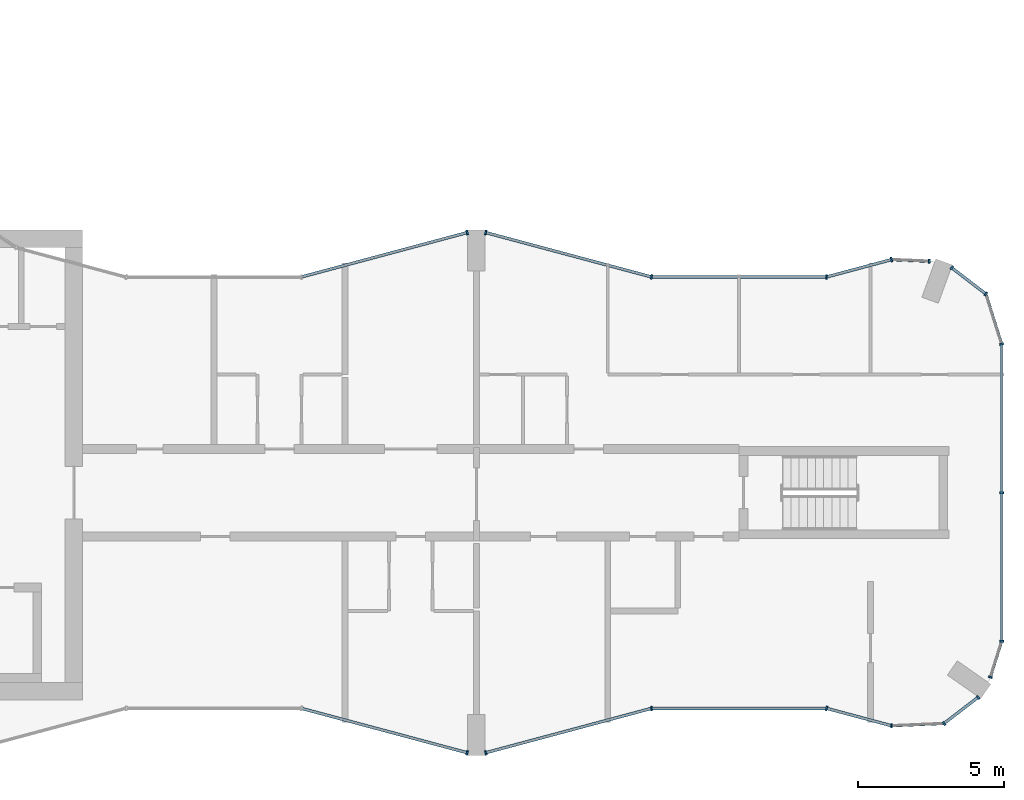
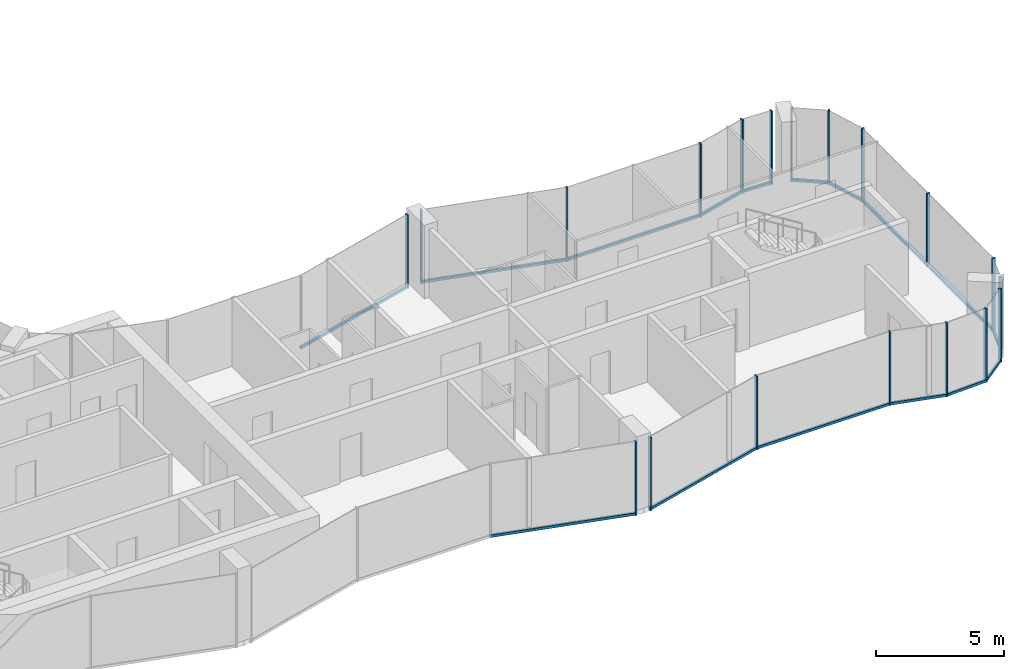
# One storey, part 6 of 15: 34 members, 15 elements without a shape of their own.
"""IFC4 building model written with IfcOpenShell, lengths in metres."""

import ifcopenshell
import ifcopenshell.guid

model = None  # the IFC model being written
_history = None  # IfcOwnerHistory: only IFC2X3 demands one
_inside = {}  # id of a spatial element -> (the spatial element, [elements in it])
_under = {}  # id of a project, library or spatial element -> (it, [spatial elements below it])
_declared = {}  # id of a project -> (the project, [libraries it declares])
_typed = {}  # id of a type object -> (the type object, [elements of that type])
_made_of = {}  # id of a material, layer set ... -> (it, [elements and type objects made of it])


def new_model(schema):
    """Start an empty IFC model of exactly this schema.

    Asked for "IFC4X3", IfcOpenShell would pick the latest addendum, in which some entities
    have other attributes; the version numbers below select the first issue.
    IFC2X3 requires an IfcOwnerHistory on every rooted entity: one is made here for all.
    """
    global model, _history
    if schema == "IFC4X3":
        model = ifcopenshell.file(schema_version=(4, 3, 0, 0))
    else:
        model = ifcopenshell.file(schema=schema)
    _inside.clear()
    _under.clear()
    _declared.clear()
    _typed.clear()
    _made_of.clear()
    _history = None
    if model.schema == "IFC2X3":
        org = make("IfcOrganization", Name="unknown")
        user = make(
            "IfcPersonAndOrganization",
            ThePerson=make("IfcPerson", FamilyName="unknown"),
            TheOrganization=org,
        )
        app = make(
            "IfcApplication",
            ApplicationDeveloper=org,
            Version="unknown",
            ApplicationFullName="unknown",
            ApplicationIdentifier="unknown",
        )
        _history = make(
            "IfcOwnerHistory",
            OwningUser=user,
            OwningApplication=app,
            ChangeAction="ADDED",
            CreationDate=0,
        )
    return model


def make(cls, **values):
    """One entity of the class cls with the attributes given. An attribute that is None is left unset."""
    return model.create_entity(
        cls, **{name: value for name, value in values.items() if value is not None}
    )


def rooted(cls, **values):
    """An entity with a GlobalId (a new one), such as an element, a storey or a relation."""
    return make(cls, GlobalId=ifcopenshell.guid.new(), OwnerHistory=_history, **values)


def si_unit(unit_type, name, prefix=None):
    """IfcSIUnit, for example si_unit("LENGTHUNIT", "METRE", prefix="MILLI")."""
    return make("IfcSIUnit", UnitType=unit_type, Prefix=prefix, Name=name)


def assignment(units):
    """IfcUnitAssignment: the units of a project."""
    return None if units is None else make("IfcUnitAssignment", Units=units)


def point(xyz):
    """IfcCartesianPoint."""
    return None if xyz is None else make("IfcCartesianPoint", Coordinates=xyz)


def direction(xyz):
    """IfcDirection."""
    return None if xyz is None else make("IfcDirection", DirectionRatios=xyz)


def frame(location, z_axis=None, x_axis=None):
    """IfcAxis2Placement3D, a coordinate frame: its origin and axes. An axis left out is left unset."""
    return make(
        "IfcAxis2Placement3D",
        Location=point(location),
        Axis=direction(z_axis),
        RefDirection=direction(x_axis),
    )


def frame_2d(location, x_axis=None):
    """IfcAxis2Placement2D, a coordinate frame in the plane: its origin and x axis."""
    return make(
        "IfcAxis2Placement2D", Location=point(location), RefDirection=direction(x_axis)
    )


def origin():
    """The frame at (0, 0, 0) with its axes left unset."""
    return frame((0.0, 0.0, 0.0))


def origin_2d():
    """The frame at (0, 0) in the plane with its x axis left unset."""
    return frame_2d((0.0, 0.0))


def place(relative_to, where):
    """IfcLocalPlacement: puts the frame where relative to a parent placement (None: the world)."""
    return make(
        "IfcLocalPlacement", PlacementRelTo=relative_to, RelativePlacement=where
    )


def context(
    kind, dimensions, precision=None, world=None, true_north=None, identifier=None
):
    """IfcGeometricRepresentationContext, for example the 3D "Model" context."""
    return make(
        "IfcGeometricRepresentationContext",
        ContextIdentifier=identifier,
        ContextType=kind,
        CoordinateSpaceDimension=dimensions,
        Precision=precision,
        WorldCoordinateSystem=world,
        TrueNorth=true_north,
    )


def subcontext(parent, identifier, kind, view, scale=None):
    """IfcGeometricRepresentationSubContext, for example "Body" below "Model"."""
    return make(
        "IfcGeometricRepresentationSubContext",
        ContextIdentifier=identifier,
        ContextType=kind,
        ParentContext=parent,
        TargetScale=scale,
        TargetView=view,
    )


def project(units=None, contexts=None):
    """IfcProject with its units and contexts."""
    return rooted(
        "IfcProject",
        Name="project",
        RepresentationContexts=contexts,
        UnitsInContext=assignment(units),
    )


def spatial(cls, under=None, at=None, **own):
    """A site, building, storey or space (cls), placed at a placement, below another one or the project."""
    s = rooted(cls, ObjectPlacement=at, **own)
    if under is not None:
        _under.setdefault(under.id(), (under, []))[1].append(s)
    return s


def profile(cls, at=None, kind="AREA", **sizes):
    """A parametric profile (cls). Its sizes go by their IFC names, for example OverallWidth=200.0."""
    return make(cls, ProfileType=kind, Position=at, **sizes)


def rectangle(**sizes):
    """IfcRectangleProfileDef."""
    return profile("IfcRectangleProfileDef", **sizes)


def extrude(swept, where, along, depth):
    """IfcExtrudedAreaSolid: the profile swept, set in the frame where, extruded along a direction by depth."""
    return make(
        "IfcExtrudedAreaSolid",
        SweptArea=swept,
        Position=where,
        ExtrudedDirection=direction(along),
        Depth=depth,
    )


def shape(context_of_items, identifier, shape_type, items):
    """IfcShapeRepresentation: the items that make up one representation, for example the "Body"."""
    return make(
        "IfcShapeRepresentation",
        ContextOfItems=context_of_items,
        RepresentationIdentifier=identifier,
        RepresentationType=shape_type,
        Items=items,
    )


def material(Name=None, Category=None):
    """IfcMaterial."""
    return make("IfcMaterial", Name=Name, Category=Category)


def layer(
    of_material, thickness, ventilated=None, Name=None, Category=None, Priority=None
):
    """IfcMaterialLayer: one layer of a wall or slab, of a material (None: an air gap)."""
    return make(
        "IfcMaterialLayer",
        Material=of_material,
        LayerThickness=thickness,
        IsVentilated=ventilated,
        Name=Name,
        Category=Category,
        Priority=Priority,
    )


def layer_set(layers, Name=None):
    """IfcMaterialLayerSet."""
    return make("IfcMaterialLayerSet", MaterialLayers=layers, LayerSetName=Name)


def material_profile(
    of_material, cross_section, Name=None, Category=None, Priority=None
):
    """IfcMaterialProfile: a cross section and its material."""
    return make(
        "IfcMaterialProfile",
        Name=Name,
        Material=of_material,
        Profile=cross_section,
        Priority=Priority,
        Category=Category,
    )


def profile_set(profiles, Name=None, composite=None):
    """IfcMaterialProfileSet."""
    return make(
        "IfcMaterialProfileSet",
        Name=Name,
        MaterialProfiles=profiles,
        CompositeProfile=composite,
    )


def made_of(thing, what):
    """Note that an element or type object is made of a material, layer set ...; save() writes the relation."""
    if what is not None:
        _made_of.setdefault(what.id(), (what, []))[1].append(thing)
    return thing


def type_object(cls, material=None, **own):
    """A type object (cls), such as IfcWallType, which elements share."""
    return made_of(rooted(cls, **own), material)


def element(
    cls,
    number,
    at=None,
    inside=None,
    cuts=None,
    type_object=None,
    material=None,
    context=None,
    identifier="Body",
    shape_type=None,
    held_by="IfcProductDefinitionShape",
    body=None,
    shapes=None,
    **own,
):
    """One element of the class cls, such as IfcWall. Its Tag is "e" and its number.

    at: its placement. inside: the storey or other place that contains it. cuts: it is an
    opening in that element (IfcRelVoidsElement). A single representation is given by context,
    identifier, shape_type and body (its items); several are given by shapes. held_by: the class
    of the entity that holds the representations. save() writes the other relations.
    """
    e = rooted(cls, Tag="e%d" % number, ObjectPlacement=at, **own)
    if body is not None:
        shapes = [shape(context, identifier, shape_type, body)]
    if shapes is not None:
        e.Representation = make(held_by, Representations=shapes)
    if inside is not None:
        _inside.setdefault(inside.id(), (inside, []))[1].append(e)
    if cuts is not None:
        rooted(
            "IfcRelVoidsElement", RelatingBuildingElement=cuts, RelatedOpeningElement=e
        )
    if type_object is not None:
        _typed.setdefault(type_object.id(), (type_object, []))[1].append(e)
    return made_of(e, material)


def aggregate(whole, parts):
    """IfcRelAggregates: a whole, such as a stair, and the parts it consists of."""
    return rooted("IfcRelAggregates", RelatingObject=whole, RelatedObjects=parts)


def save(model, path):
    """Write the relations noted so far, then the file.

    IfcRelAggregates (storeys below a building ...), IfcRelContainedInSpatialStructure (elements
    in a storey), IfcRelDefinesByType, IfcRelAssociatesMaterial and IfcRelDeclares: one each for
    every whole, place, type object, material and project.
    """
    for whole, parts in _under.values():
        aggregate(whole, parts)
    for where, things in _inside.values():
        rooted(
            "IfcRelContainedInSpatialStructure",
            RelatedElements=things,
            RelatingStructure=where,
        )
    for kind, things in _typed.values():
        rooted("IfcRelDefinesByType", RelatedObjects=things, RelatingType=kind)
    for what, things in _made_of.values():
        rooted("IfcRelAssociatesMaterial", RelatedObjects=things, RelatingMaterial=what)
    for by, libraries in _declared.values():
        rooted("IfcRelDeclares", RelatingContext=by, RelatedDefinitions=libraries)
    model.write(path)


model = new_model("IFC4")

# Units and contexts
model_context = context("Model", 3, precision=1e-05, world=origin(), true_north=direction((0.0, 1.0)))
body_context = subcontext(model_context, "Body", "Model", "MODEL_VIEW")
ifc_project = project(units=[si_unit("LENGTHUNIT", "METRE"), si_unit("AREAUNIT", "SQUARE_METRE"), si_unit("VOLUMEUNIT", "CUBIC_METRE"), si_unit("PLANEANGLEUNIT", "RADIAN"), si_unit("MASSUNIT", "GRAM", prefix="KILO")], contexts=[model_context])

# Site, building, storey
site_placement = place(None, origin())
site = spatial("IfcSite", under=ifc_project, at=site_placement, CompositionType="ELEMENT")
building_placement = place(site_placement, origin())
building = spatial("IfcBuilding", under=site, at=building_placement, Name="Plateau Cross Towers", CompositionType="ELEMENT")
storey_placement = place(building_placement, frame((0.0, 0.0, 174.39990234375)))
storey = spatial("IfcBuildingStorey", under=building, at=storey_placement, Name="L45", CompositionType="ELEMENT", Elevation=174.39990234375)

# Curtain wall, member
ifc_material_1 = material(Name="Dark low-iron glass", Category="glass")
ifc_layer_1 = layer(ifc_material_1, 0.239990234375)
ifc_layer_set_1 = layer_set([ifc_layer_1], Name="Dark low-iron glass")
curtain_wall_type_1 = type_object("IfcCurtainWallType", Name="Curtain wall flush unitised CW-B", PredefinedType="NOTDEFINED", material=ifc_layer_set_1)
curtain_wall_1_placement = place(storey_placement, origin())
curtain_wall_1 = element("IfcCurtainWall", 1, at=curtain_wall_1_placement, inside=storey, type_object=curtain_wall_type_1, Name="ENV/A/L45/A502_10", PredefinedType="NOTDEFINED")
ifc_material_2 = material(Name="Black anodised aluminium", Category="aluminium")
ifc_material_profile_1 = material_profile(ifc_material_2, rectangle(XDim=0.06005859375, YDim=0.139892578125, at=origin_2d()), Name="MULLION 60x140")
ifc_profile_set_1 = profile_set([ifc_material_profile_1], Name="Black anodised aluminium")
member_type_1 = type_object("IfcMemberType", Name="Mullion 60x140 flush unitised", PredefinedType="MULLION", material=ifc_profile_set_1)
member_1_placement = place(storey_placement, frame((50.223876953125, 1.01123046875, -0.25), z_axis=(0.0, 0.0, 1.0), x_axis=(0.999043701491, 0.043722791671, 0.0)))
member_1 = element("IfcMember", 2, at=member_1_placement, type_object=member_type_1, Name="CW-B mullion 1", PredefinedType="MULLION", context=body_context, shape_type="SweptSolid", body=[
    extrude(rectangle(XDim=0.06005859375, YDim=0.139892578125, at=origin_2d()), origin(), (0.0, 0.0, 1.0), 3.5),
])

# Curtain wall, members
curtain_wall_2_placement = place(storey_placement, origin())
curtain_wall_2 = element("IfcCurtainWall", 3, at=curtain_wall_2_placement, inside=storey, type_object=curtain_wall_type_1, Name="ENV/A/L45/A520_11", PredefinedType="NOTDEFINED")
member_2_placement = place(storey_placement, frame((52.0263671875, 1.090087890625, -0.25), z_axis=(0.0, 0.0, 1.0), x_axis=(0.793315514529, 0.608810721331, 0.0)))
member_2 = element("IfcMember", 4, at=member_2_placement, type_object=member_type_1, Name="CW-B mullion 1", PredefinedType="MULLION", context=body_context, shape_type="SweptSolid", body=[
    extrude(rectangle(XDim=0.06005859375, YDim=0.139892578125, at=origin_2d()), origin(), (0.0, 0.0, 1.0), 3.5),
])
member_3_placement = place(storey_placement, frame((53.193603515625, 1.986083984375, -0.25), z_axis=(0.0, 0.0, 1.0), x_axis=(0.793315514529, 0.608810721331, 0.0)))
member_3 = element("IfcMember", 5, at=member_3_placement, type_object=member_type_1, Name="CW-B mullion 2", PredefinedType="MULLION", context=body_context, shape_type="SweptSolid", body=[
    extrude(rectangle(XDim=0.06005859375, YDim=0.139892578125, at=origin_2d()), origin(), (0.0, 0.0, 1.0), 3.5),
])

# Curtain wall, member
curtain_wall_3_placement = place(storey_placement, origin())
curtain_wall_3 = element("IfcCurtainWall", 6, at=curtain_wall_3_placement, inside=storey, type_object=curtain_wall_type_1, Name="ENV/A/L45/A536_27", PredefinedType="NOTDEFINED")
member_4_placement = place(storey_placement, frame((53.611083984375, 2.67529296875, -0.25), z_axis=(0.0, 0.0, 1.0), x_axis=(0.300686174994, 0.95372313811, 0.0)))
member_4 = element("IfcMember", 7, at=member_4_placement, type_object=member_type_1, Name="CW-B mullion 1", PredefinedType="MULLION", context=body_context, shape_type="SweptSolid", body=[
    extrude(rectangle(XDim=0.06005859375, YDim=0.139892578125, at=origin_2d()), origin(), (0.0, 0.0, 1.0), 3.5),
])

# Curtain wall, members
curtain_wall_4_placement = place(storey_placement, origin())
curtain_wall_4 = element("IfcCurtainWall", 8, at=curtain_wall_4_placement, inside=storey, type_object=curtain_wall_type_1, Name="ENV/A/L45/A540_39", PredefinedType="NOTDEFINED")
member_5_placement = place(storey_placement, frame((54.0, 3.9091796875, -0.25), z_axis=(0.0, 0.0, 1.0), x_axis=(0.0, 1.0, 0.0)))
member_5 = element("IfcMember", 9, at=member_5_placement, type_object=member_type_1, Name="CW-B mullion 1", PredefinedType="MULLION", context=body_context, shape_type="SweptSolid", body=[
    extrude(rectangle(XDim=0.06005859375, YDim=0.139892578125, at=origin_2d()), origin(), (0.0, 0.0, 1.0), 3.5),
])
member_6_placement = place(storey_placement, frame((54.0, 9.0, -0.25), z_axis=(0.0, 0.0, 1.0), x_axis=(0.0, 1.0, 0.0)))
member_6 = element("IfcMember", 10, at=member_6_placement, type_object=member_type_1, Name="CW-B mullion 2", PredefinedType="MULLION", context=body_context, shape_type="SweptSolid", body=[
    extrude(rectangle(XDim=0.06005859375, YDim=0.139892578125, at=origin_2d()), origin(), (0.0, 0.0, 1.0), 3.5),
])

# Curtain wall, member
curtain_wall_5_placement = place(storey_placement, origin())
curtain_wall_5 = element("IfcCurtainWall", 11, at=curtain_wall_5_placement, inside=storey, type_object=curtain_wall_type_1, Name="ENV/A/L45/A540_141", PredefinedType="NOTDEFINED")
member_7_placement = place(storey_placement, frame((54.0, 14.0908203125, -0.25), z_axis=(0.0, 0.0, 1.0), x_axis=(-0.300686174994, 0.95372313811, 0.0)))
member_7 = element("IfcMember", 12, at=member_7_placement, type_object=member_type_1, Name="CW-B mullion 1", PredefinedType="MULLION", context=body_context, shape_type="SweptSolid", body=[
    extrude(rectangle(XDim=0.06005859375, YDim=0.139892578125, at=origin_2d()), origin(), (0.0, 0.0, 1.0), 3.5),
])

# Curtain wall, members
curtain_wall_6_placement = place(storey_placement, origin())
curtain_wall_6 = element("IfcCurtainWall", 13, at=curtain_wall_6_placement, inside=storey, type_object=curtain_wall_type_1, Name="ENV/A/L45/A535_158", PredefinedType="NOTDEFINED")
member_8_placement = place(storey_placement, frame((53.45751953125, 15.8115234375, -0.25), z_axis=(0.0, 0.0, 1.0), x_axis=(-0.793315514529, 0.608810721331, 0.0)))
member_8 = element("IfcMember", 14, at=member_8_placement, type_object=member_type_1, Name="CW-B mullion 1", PredefinedType="MULLION", context=body_context, shape_type="SweptSolid", body=[
    extrude(rectangle(XDim=0.06005859375, YDim=0.139892578125, at=origin_2d()), origin(), (0.0, 0.0, 1.0), 3.5),
])
member_9_placement = place(storey_placement, frame((52.290283203125, 16.707275390625, -0.25), z_axis=(0.0, 0.0, 1.0), x_axis=(-0.793315514529, 0.608810721331, 0.0)))
member_9 = element("IfcMember", 15, at=member_9_placement, type_object=member_type_1, Name="CW-B mullion 2", PredefinedType="MULLION", context=body_context, shape_type="SweptSolid", body=[
    extrude(rectangle(XDim=0.06005859375, YDim=0.139892578125, at=origin_2d()), origin(), (0.0, 0.0, 1.0), 3.5),
])

# Curtain wall, member
curtain_wall_7_placement = place(storey_placement, origin())
curtain_wall_7 = element("IfcCurtainWall", 16, at=curtain_wall_7_placement, inside=storey, type_object=curtain_wall_type_1, Name="ENV/A/L45/A515_169", PredefinedType="NOTDEFINED")
member_10_placement = place(storey_placement, frame((51.516357421875, 16.93212890625, -0.25), z_axis=(0.0, 0.0, 1.0), x_axis=(-0.999043701491, 0.043722791671, 0.0)))
member_10 = element("IfcMember", 17, at=member_10_placement, type_object=member_type_1, Name="CW-B mullion 1", PredefinedType="MULLION", context=body_context, shape_type="SweptSolid", body=[
    extrude(rectangle(XDim=0.06005859375, YDim=0.139892578125, at=origin_2d()), origin(), (0.0, 0.0, 1.0), 3.5),
])

ifc_layer_2 = layer(ifc_material_1, 0.260009765625)
ifc_layer_set_2 = layer_set([ifc_layer_2], Name="Dark low-iron glass")
curtain_wall_type_2 = type_object("IfcCurtainWallType", Name="Curtain wall fluted unitised CW-A", PredefinedType="NOTDEFINED", material=ifc_layer_set_2)
curtain_wall_8_placement = place(storey_placement, origin())
curtain_wall_8 = element("IfcCurtainWall", 18, at=curtain_wall_8_placement, inside=storey, type_object=curtain_wall_type_2, Name="ENV/A/L45/A300_16", PredefinedType="NOTDEFINED")
ifc_material_profile_2 = material_profile(ifc_material_2, rectangle(XDim=0.06005859375, YDim=0.159912109375, at=origin_2d()), Name="MULLION 60x160")
ifc_profile_set_2 = profile_set([ifc_material_profile_2], Name="Black anodised aluminium")
member_type_2 = type_object("IfcMemberType", Name="Mullion 60x160 fluted unitised", PredefinedType="MULLION", material=ifc_profile_set_2)
member_11_placement = place(storey_placement, frame((35.68212890625, 0.085205078125, -0.25), z_axis=(0.0, 0.0, 1.0), x_axis=(0.965957983404, -0.258699003279, 0.0)))
member_11 = element("IfcMember", 19, at=member_11_placement, type_object=member_type_2, Name="CW-A mullion 2", PredefinedType="MULLION", context=body_context, shape_type="SweptSolid", body=[
    extrude(rectangle(XDim=0.06005859375, YDim=0.159912109375, at=origin_2d()), origin(), (0.0, 0.0, 1.0), 3.5),
])

curtain_wall_9_placement = place(storey_placement, origin())
curtain_wall_9 = element("IfcCurtainWall", 20, at=curtain_wall_9_placement, inside=storey, type_object=curtain_wall_type_2, Name="ENV/A/L45/A363_1", PredefinedType="NOTDEFINED")
member_12_placement = place(storey_placement, frame((36.31787109375, 0.085205078125, -0.25), z_axis=(0.0, 0.0, 1.0), x_axis=(0.965957983404, 0.258699003279, 0.0)))
member_12 = element("IfcMember", 21, at=member_12_placement, type_object=member_type_2, Name="CW-A mullion 1", PredefinedType="MULLION", context=body_context, shape_type="SweptSolid", body=[
    extrude(rectangle(XDim=0.06005859375, YDim=0.159912109375, at=origin_2d()), origin(), (0.0, 0.0, 1.0), 3.5),
])

curtain_wall_10_placement = place(storey_placement, origin())
curtain_wall_10 = element("IfcCurtainWall", 22, at=curtain_wall_10_placement, inside=storey, type_object=curtain_wall_type_2, Name="ENV/A/L45/A420_16", PredefinedType="NOTDEFINED")
member_13_placement = place(storey_placement, frame((42.0, 1.60693359375, -0.25), z_axis=(0.0, 0.0, 1.0), x_axis=(1.0, 0.0, 0.0)))
member_13 = element("IfcMember", 23, at=member_13_placement, type_object=member_type_2, Name="CW-A mullion 1", PredefinedType="MULLION", context=body_context, shape_type="SweptSolid", body=[
    extrude(rectangle(XDim=0.06005859375, YDim=0.159912109375, at=origin_2d()), origin(), (0.0, 0.0, 1.0), 3.5),
])

curtain_wall_11_placement = place(storey_placement, origin())
curtain_wall_11 = element("IfcCurtainWall", 24, at=curtain_wall_11_placement, inside=storey, type_object=curtain_wall_type_2, Name="ENV/A/L45/A480_16", PredefinedType="NOTDEFINED")
member_14_placement = place(storey_placement, frame((48.0, 1.60693359375, -0.25), z_axis=(0.0, 0.0, 1.0), x_axis=(0.965957962328, -0.258699081978, 0.0)))
member_14 = element("IfcMember", 25, at=member_14_placement, type_object=member_type_2, Name="CW-A mullion 1", PredefinedType="MULLION", context=body_context, shape_type="SweptSolid", body=[
    extrude(rectangle(XDim=0.06005859375, YDim=0.159912109375, at=origin_2d()), origin(), (0.0, 0.0, 1.0), 3.5),
])

curtain_wall_12_placement = place(storey_placement, origin())
curtain_wall_12 = element("IfcCurtainWall", 26, at=curtain_wall_12_placement, inside=storey, type_object=curtain_wall_type_2, Name="ENV/A/L45/A502_170", PredefinedType="NOTDEFINED")
member_15_placement = place(storey_placement, frame((50.223876953125, 16.98876953125, -0.25), z_axis=(0.0, 0.0, 1.0), x_axis=(-0.965957962328, -0.258699081978, 0.0)))
member_15 = element("IfcMember", 27, at=member_15_placement, type_object=member_type_2, Name="CW-A mullion 1", PredefinedType="MULLION", context=body_context, shape_type="SweptSolid", body=[
    extrude(rectangle(XDim=0.06005859375, YDim=0.159912109375, at=origin_2d()), origin(), (0.0, 0.0, 1.0), 3.5),
])

curtain_wall_13_placement = place(storey_placement, origin())
curtain_wall_13 = element("IfcCurtainWall", 28, at=curtain_wall_13_placement, inside=storey, type_object=curtain_wall_type_2, Name="ENV/A/L45/A480_164", PredefinedType="NOTDEFINED")
member_16_placement = place(storey_placement, frame((48.0, 16.39306640625, -0.25), z_axis=(0.0, 0.0, 1.0), x_axis=(-1.0, 0.0, 0.0)))
member_16 = element("IfcMember", 29, at=member_16_placement, type_object=member_type_2, Name="CW-A mullion 1", PredefinedType="MULLION", context=body_context, shape_type="SweptSolid", body=[
    extrude(rectangle(XDim=0.06005859375, YDim=0.159912109375, at=origin_2d()), origin(), (0.0, 0.0, 1.0), 3.5),
])

# Curtain wall, members
curtain_wall_14_placement = place(storey_placement, origin())
curtain_wall_14 = element("IfcCurtainWall", 30, at=curtain_wall_14_placement, inside=storey, type_object=curtain_wall_type_2, Name="ENV/A/L45/A420_164", PredefinedType="NOTDEFINED")
member_17_placement = place(storey_placement, frame((42.0, 16.39306640625, -0.25), z_axis=(0.0, 0.0, 1.0), x_axis=(-0.965957983404, 0.258699003279, 0.0)))
member_17 = element("IfcMember", 31, at=member_17_placement, type_object=member_type_2, Name="CW-A mullion 1", PredefinedType="MULLION", context=body_context, shape_type="SweptSolid", body=[
    extrude(rectangle(XDim=0.06005859375, YDim=0.159912109375, at=origin_2d()), origin(), (0.0, 0.0, 1.0), 3.5),
])
member_18_placement = place(storey_placement, frame((36.31787109375, 17.914794921875, -0.25), z_axis=(0.0, 0.0, 1.0), x_axis=(-0.965957983404, 0.258699003279, 0.0)))
member_18 = element("IfcMember", 32, at=member_18_placement, type_object=member_type_2, Name="CW-A mullion 2", PredefinedType="MULLION", context=body_context, shape_type="SweptSolid", body=[
    extrude(rectangle(XDim=0.06005859375, YDim=0.159912109375, at=origin_2d()), origin(), (0.0, 0.0, 1.0), 3.5),
])

# Curtain wall, member
curtain_wall_15_placement = place(storey_placement, origin())
curtain_wall_15 = element("IfcCurtainWall", 33, at=curtain_wall_15_placement, inside=storey, type_object=curtain_wall_type_2, Name="ENV/A/L45/A357_179", PredefinedType="NOTDEFINED")
member_19_placement = place(storey_placement, frame((35.68212890625, 17.914794921875, -0.25), z_axis=(0.0, 0.0, 1.0), x_axis=(-0.965957983404, -0.258699003279, 0.0)))
member_19 = element("IfcMember", 34, at=member_19_placement, type_object=member_type_2, Name="CW-A mullion 1", PredefinedType="MULLION", context=body_context, shape_type="SweptSolid", body=[
    extrude(rectangle(XDim=0.06005859375, YDim=0.159912109375, at=origin_2d()), origin(), (0.0, 0.0, 1.0), 3.5),
])

# Member
ifc_material_profile_3 = material_profile(ifc_material_2, rectangle(XDim=0.10009765625, YDim=0.1201171875, at=origin_2d()), Name="TRANSOM 100x120")
ifc_profile_set_3 = profile_set([ifc_material_profile_3], Name="Black anodised aluminium")
member_type_3 = type_object("IfcMemberType", Name="Transom 100x120 flush unitised", PredefinedType="USERDEFINED", material=ifc_profile_set_3)
member_20_placement = place(storey_placement, frame((50.223876953125, 1.01123046875, -0.18994140625), z_axis=(0.999044377355, 0.043707345779, 0.0), x_axis=(-0.043707345779, 0.999044377355, 0.0)))
member_20 = element("IfcMember", 35, at=member_20_placement, type_object=member_type_3, Name="CW-B transom", ObjectType="TRANSOM", PredefinedType="USERDEFINED", context=body_context, shape_type="SweptSolid", body=[
    extrude(rectangle(XDim=0.10009765625, YDim=0.1201171875, at=origin_2d()), origin(), (0.0, 0.0, 1.0), 1.80419921875),
])

aggregate(curtain_wall_1, [member_1, member_20])

member_21_placement = place(storey_placement, frame((52.0263671875, 1.090087890625, -0.18994140625), z_axis=(0.793240368515, 0.608908628415, 0.0), x_axis=(-0.608908628415, 0.793240368515, 0.0)))
member_21 = element("IfcMember", 36, at=member_21_placement, type_object=member_type_3, Name="CW-B transom", ObjectType="TRANSOM", PredefinedType="USERDEFINED", context=body_context, shape_type="SweptSolid", body=[
    extrude(rectangle(XDim=0.10009765625, YDim=0.1201171875, at=origin_2d()), origin(), (0.0, 0.0, 1.0), 1.471435546875),
])

aggregate(curtain_wall_2, [member_2, member_3, member_21])

member_22_placement = place(storey_placement, frame((53.611083984375, 2.67529296875, -0.18994140625), z_axis=(0.300616528216, 0.953745093284, 0.0), x_axis=(-0.953745093284, 0.300616528216, 0.0)))
member_22 = element("IfcMember", 37, at=member_22_placement, type_object=member_type_3, Name="CW-B transom", ObjectType="TRANSOM", PredefinedType="USERDEFINED", context=body_context, shape_type="SweptSolid", body=[
    extrude(rectangle(XDim=0.10009765625, YDim=0.1201171875, at=origin_2d()), origin(), (0.0, 0.0, 1.0), 1.293701171875),
])

aggregate(curtain_wall_3, [member_4, member_22])

member_23_placement = place(storey_placement, frame((54.0, 3.9091796875, -0.18994140625), z_axis=(0.0, 1.0, 0.0), x_axis=(-1.0, 0.0, 0.0)))
member_23 = element("IfcMember", 38, at=member_23_placement, type_object=member_type_3, Name="CW-B transom", ObjectType="TRANSOM", PredefinedType="USERDEFINED", context=body_context, shape_type="SweptSolid", body=[
    extrude(rectangle(XDim=0.10009765625, YDim=0.1201171875, at=origin_2d()), origin(), (0.0, 0.0, 1.0), 10.181640625),
])

aggregate(curtain_wall_4, [member_5, member_6, member_23])

member_24_placement = place(storey_placement, frame((54.0, 14.0908203125, -0.18994140625), z_axis=(-0.30067799945, 0.953725715626, 0.0), x_axis=(-0.953725715626, -0.30067799945, 0.0)))
member_24 = element("IfcMember", 39, at=member_24_placement, type_object=member_type_3, Name="CW-B transom", ObjectType="TRANSOM", PredefinedType="USERDEFINED", context=body_context, shape_type="SweptSolid", body=[
    extrude(rectangle(XDim=0.10009765625, YDim=0.1201171875, at=origin_2d()), origin(), (0.0, 0.0, 1.0), 1.80419921875),
])

aggregate(curtain_wall_5, [member_7, member_24])

member_25_placement = place(storey_placement, frame((53.45751953125, 15.8115234375, -0.18994140625), z_axis=(-0.793320508571, 0.608804213751, 0.0), x_axis=(-0.608804213751, -0.793320508571, 0.0)))
member_25 = element("IfcMember", 40, at=member_25_placement, type_object=member_type_3, Name="CW-B transom", ObjectType="TRANSOM", PredefinedType="USERDEFINED", context=body_context, shape_type="SweptSolid", body=[
    extrude(rectangle(XDim=0.10009765625, YDim=0.1201171875, at=origin_2d()), origin(), (0.0, 0.0, 1.0), 1.471435546875),
])

aggregate(curtain_wall_6, [member_8, member_9, member_25])

member_26_placement = place(storey_placement, frame((51.516357421875, 16.93212890625, -0.18994140625), z_axis=(-0.999041144614, 0.043781175963, 0.0), x_axis=(-0.043781175963, -0.999041144614, 0.0)))
member_26 = element("IfcMember", 41, at=member_26_placement, type_object=member_type_3, Name="CW-B transom", ObjectType="TRANSOM", PredefinedType="USERDEFINED", context=body_context, shape_type="SweptSolid", body=[
    extrude(rectangle(XDim=0.10009765625, YDim=0.1201171875, at=origin_2d()), origin(), (0.0, 0.0, 1.0), 1.293701171875),
])

aggregate(curtain_wall_7, [member_10, member_26])

ifc_material_profile_4 = material_profile(ifc_material_2, rectangle(XDim=0.10009765625, YDim=0.1201171875, at=origin_2d()), Name="TRANSOM 100x120")
ifc_profile_set_4 = profile_set([ifc_material_profile_4], Name="Black anodised aluminium")
member_type_4 = type_object("IfcMemberType", Name="Transom 100x120 fluted unitised", PredefinedType="USERDEFINED", material=ifc_profile_set_4)
member_27_placement = place(storey_placement, frame((30.0, 1.60693359375, -0.18994140625), z_axis=(0.965959534794, -0.258693210465, 0.0), x_axis=(0.258693210465, 0.965959534794, 0.0)))
member_27 = element("IfcMember", 42, at=member_27_placement, type_object=member_type_4, Name="CW-A transom", ObjectType="TRANSOM", PredefinedType="USERDEFINED", context=body_context, shape_type="SweptSolid", body=[
    extrude(rectangle(XDim=0.10009765625, YDim=0.1201171875, at=origin_2d()), origin(), (0.0, 0.0, 1.0), 5.88232421875),
])

aggregate(curtain_wall_8, [member_11, member_27])

member_28_placement = place(storey_placement, frame((36.31787109375, 0.085205078125, -0.18994140625), z_axis=(0.965959534794, 0.258693210465, 0.0), x_axis=(-0.258693210465, 0.965959534794, 0.0)))
member_28 = element("IfcMember", 43, at=member_28_placement, type_object=member_type_4, Name="CW-A transom", ObjectType="TRANSOM", PredefinedType="USERDEFINED", context=body_context, shape_type="SweptSolid", body=[
    extrude(rectangle(XDim=0.10009765625, YDim=0.1201171875, at=origin_2d()), origin(), (0.0, 0.0, 1.0), 5.88232421875),
])

aggregate(curtain_wall_9, [member_12, member_28])

member_29_placement = place(storey_placement, frame((42.0, 1.60693359375, -0.18994140625), z_axis=(1.0, 0.0, 0.0), x_axis=(0.0, 1.0, 0.0)))
member_29 = element("IfcMember", 44, at=member_29_placement, type_object=member_type_4, Name="CW-A transom", ObjectType="TRANSOM", PredefinedType="USERDEFINED", context=body_context, shape_type="SweptSolid", body=[
    extrude(rectangle(XDim=0.10009765625, YDim=0.1201171875, at=origin_2d()), origin(), (0.0, 0.0, 1.0), 6.0),
])

aggregate(curtain_wall_10, [member_13, member_29])

member_30_placement = place(storey_placement, frame((48.0, 1.60693359375, -0.18994140625), z_axis=(0.965945685136, -0.258744919501, 0.0), x_axis=(0.258744919501, 0.965945685136, 0.0)))
member_30 = element("IfcMember", 45, at=member_30_placement, type_object=member_type_4, Name="CW-A transom", ObjectType="TRANSOM", PredefinedType="USERDEFINED", context=body_context, shape_type="SweptSolid", body=[
    extrude(rectangle(XDim=0.10009765625, YDim=0.1201171875, at=origin_2d()), origin(), (0.0, 0.0, 1.0), 2.30224609375),
])

aggregate(curtain_wall_11, [member_14, member_30])

member_31_placement = place(storey_placement, frame((50.223876953125, 16.98876953125, -0.18994140625), z_axis=(-0.965945685136, -0.258744919501, 0.0), x_axis=(0.258744919501, -0.965945685136, 0.0)))
member_31 = element("IfcMember", 46, at=member_31_placement, type_object=member_type_4, Name="CW-A transom", ObjectType="TRANSOM", PredefinedType="USERDEFINED", context=body_context, shape_type="SweptSolid", body=[
    extrude(rectangle(XDim=0.10009765625, YDim=0.1201171875, at=origin_2d()), origin(), (0.0, 0.0, 1.0), 2.30224609375),
])

aggregate(curtain_wall_12, [member_15, member_31])

member_32_placement = place(storey_placement, frame((48.0, 16.39306640625, -0.18994140625), z_axis=(-1.0, 0.0, 0.0), x_axis=(0.0, -1.0, 0.0)))
member_32 = element("IfcMember", 47, at=member_32_placement, type_object=member_type_4, Name="CW-A transom", ObjectType="TRANSOM", PredefinedType="USERDEFINED", context=body_context, shape_type="SweptSolid", body=[
    extrude(rectangle(XDim=0.10009765625, YDim=0.1201171875, at=origin_2d()), origin(), (0.0, 0.0, 1.0), 6.0),
])

aggregate(curtain_wall_13, [member_16, member_32])

member_33_placement = place(storey_placement, frame((42.0, 16.39306640625, -0.18994140625), z_axis=(-0.965959534794, 0.258693210465, 0.0), x_axis=(-0.258693210465, -0.965959534794, 0.0)))
member_33 = element("IfcMember", 48, at=member_33_placement, type_object=member_type_4, Name="CW-A transom", ObjectType="TRANSOM", PredefinedType="USERDEFINED", context=body_context, shape_type="SweptSolid", body=[
    extrude(rectangle(XDim=0.10009765625, YDim=0.1201171875, at=origin_2d()), origin(), (0.0, 0.0, 1.0), 5.88232421875),
])

aggregate(curtain_wall_14, [member_17, member_18, member_33])

member_34_placement = place(storey_placement, frame((35.68212890625, 17.914794921875, -0.18994140625), z_axis=(-0.965959534794, -0.258693210465, 0.0), x_axis=(0.258693210465, -0.965959534794, 0.0)))
member_34 = element("IfcMember", 49, at=member_34_placement, type_object=member_type_4, Name="CW-A transom", ObjectType="TRANSOM", PredefinedType="USERDEFINED", context=body_context, shape_type="SweptSolid", body=[
    extrude(rectangle(XDim=0.10009765625, YDim=0.1201171875, at=origin_2d()), origin(), (0.0, 0.0, 1.0), 5.88232421875),
])

aggregate(curtain_wall_15, [member_19, member_34])

save(model, "model.ifc")
